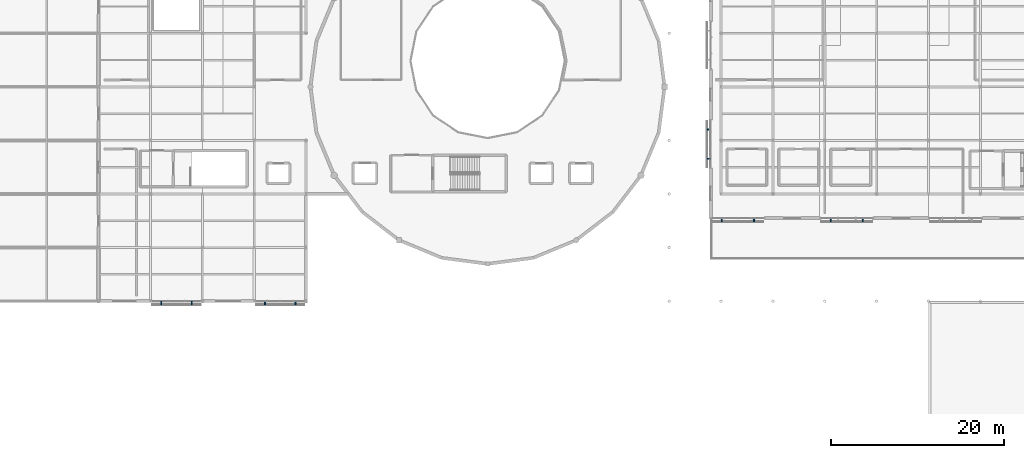
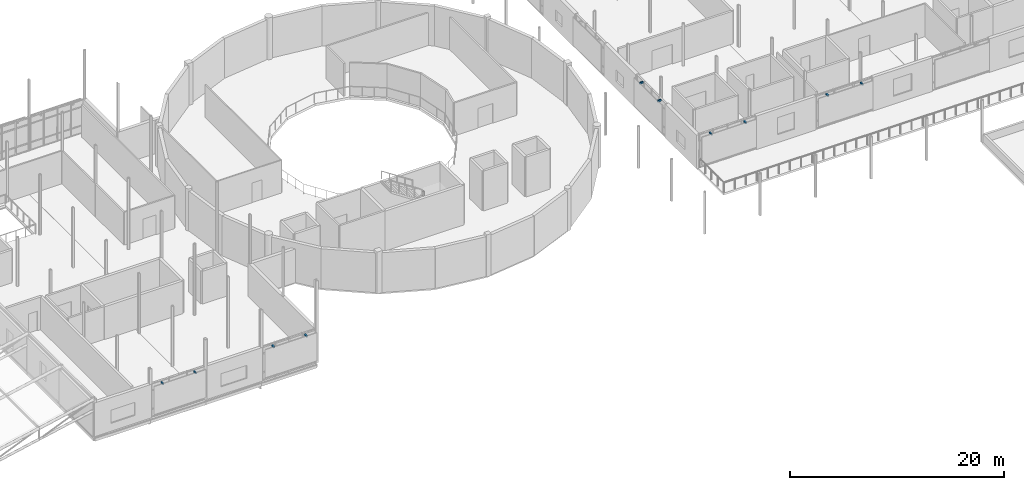
# One storey, part 50 of 66: 10 discrete accessories.
"""IFC4 building model written with IfcOpenShell, lengths in metres."""

from ifc_helpers import new_model, si_unit, direction, frame, origin, origin_2d, place, context, subcontext, project, spatial, rectangle, extrude, material, type_object, element, save


model = new_model("IFC4")

# Units and contexts
model_context = context("Model", 3, precision=1e-05, world=origin(), true_north=direction((0.0, 1.0)))
body_context = subcontext(model_context, "Body", "Model", "MODEL_VIEW")
ifc_project = project(units=[si_unit("LENGTHUNIT", "METRE"), si_unit("AREAUNIT", "SQUARE_METRE"), si_unit("VOLUMEUNIT", "CUBIC_METRE"), si_unit("PLANEANGLEUNIT", "RADIAN"), si_unit("MASSUNIT", "GRAM", prefix="KILO")], contexts=[model_context])

# Site, building, storey
site_placement = place(None, origin())
site = spatial("IfcSite", under=ifc_project, at=site_placement, CompositionType="ELEMENT")
building_placement = place(site_placement, origin())
building = spatial("IfcBuilding", under=site, at=building_placement, Name="Mirzam Square Science Centre", CompositionType="ELEMENT")
storey_placement = place(building_placement, frame((0.0, 0.0, 15.60009765625)))
storey = spatial("IfcBuildingStorey", under=building, at=storey_placement, Name="L03", CompositionType="ELEMENT", Elevation=15.60009765625)

# Discrete accessories
ifc_material = material(Name="Steel S355", Category="steel")
discrete_accessory_type = type_object("IfcDiscreteAccessoryType", Name="BRK-BRISE-STEEL", PredefinedType="BRACKET", material=ifc_material)
for number, where, z_axis, x_axis, name in (
    (1, (43.23291015625, 37.010009765625, 3.5), (0.0, 0.0, 1.0), (1.0, 0.0, 0.0), "L03 brise-soleil support bracket 32"),
    (2, (46.76708984375, 37.010009765625, 3.5), (0.0, 0.0, 1.0), (1.0, 0.0, 0.0), "L03 brise-soleil support bracket 32"),
    (3, (55.23291015625, 37.010009765625, 3.5), (0.0, 0.0, 1.0), (1.0, 0.0, 0.0), "L03 brise-soleil support bracket 33"),
    (4, (58.76708984375, 37.010009765625, 3.5), (0.0, 0.0, 1.0), (1.0, 0.0, 0.0), "L03 brise-soleil support bracket 33"),
    (5, (108.093017578125, 46.610107421875, 3.5), (0.0, 0.0, 1.0), (1.0, 0.0, 0.0), "L03 brise-soleil support bracket 113"),
    (6, (111.806884765625, 46.610107421875, 3.5), (0.0, 0.0, 1.0), (1.0, 0.0, 0.0), "L03 brise-soleil support bracket 113"),
    (7, (120.693115234375, 46.610107421875, 3.5), (0.0, 0.0, 1.0), (1.0, 0.0, 0.0), "L03 brise-soleil support bracket 114"),
    (8, (124.406982421875, 46.610107421875, 3.5), (0.0, 0.0, 1.0), (1.0, 0.0, 0.0), "L03 brise-soleil support bracket 114"),
    (9, (106.610107421875, 57.052734375, 3.5), (0.0, 0.0, 1.0), (0.0, -1.0, 0.0), "L03 brise-soleil support bracket 125"),
    (10, (106.610107421875, 53.690185546875, 3.5), (0.0, 0.0, 1.0), (0.0, -1.0, 0.0), "L03 brise-soleil support bracket 125"),
):
    element("IfcDiscreteAccessory", number, at=place(storey_placement, frame(where, z_axis=z_axis, x_axis=x_axis)), inside=storey, type_object=discrete_accessory_type, Name=name, PredefinedType="BRACKET", context=body_context, shape_type="SweptSolid", body=[
        extrude(rectangle(XDim=0.139892578125, YDim=0.419921875, at=origin_2d()), origin(), (0.0, 0.0, 1.0), 0.179931640625),
    ])

save(model, "model.ifc")
